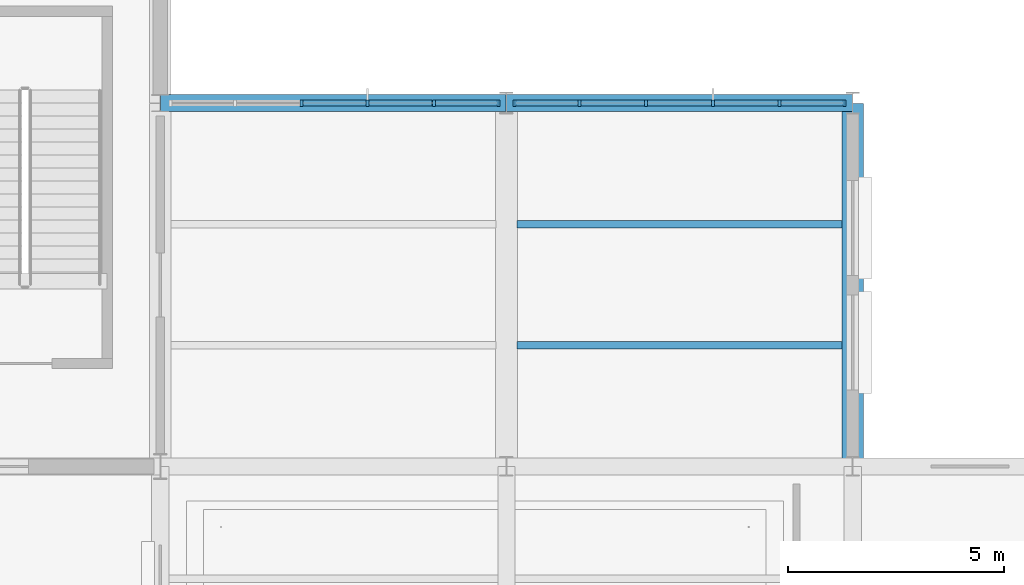
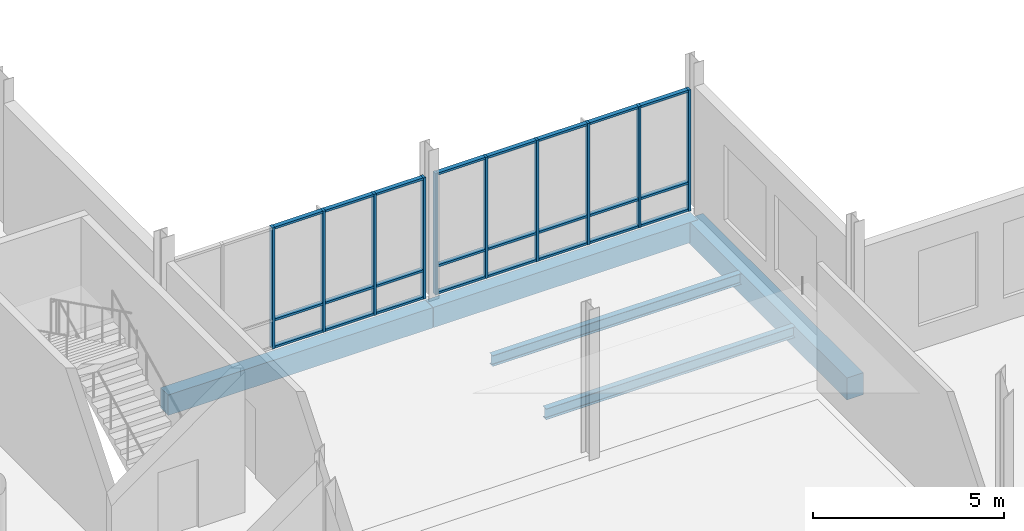
# One storey, part 32 of 82: 34 members, 5 beams, 2 elements without a shape of their own.
"""IFC4 building model written with IfcOpenShell, lengths in metres."""

from ifc_helpers import new_model, si_unit, direction, frame, origin, origin_2d, place, context, subcontext, project, spatial, rectangle, i_section, extrude, material, layer, layer_set, material_profile, profile_set, type_object, element, aggregate, save


model = new_model("IFC4")

# Units and contexts
model_context = context("Model", 3, precision=1e-05, world=origin(), true_north=direction((0.0, 1.0)))
body_context = subcontext(model_context, "Body", "Model", "MODEL_VIEW")
ifc_project = project(units=[si_unit("LENGTHUNIT", "METRE"), si_unit("AREAUNIT", "SQUARE_METRE"), si_unit("VOLUMEUNIT", "CUBIC_METRE"), si_unit("PLANEANGLEUNIT", "RADIAN"), si_unit("MASSUNIT", "GRAM", prefix="KILO")], contexts=[model_context])

# Site, building, storey
site_placement = place(None, origin())
site = spatial("IfcSite", under=ifc_project, at=site_placement, CompositionType="ELEMENT")
building_placement = place(site_placement, origin())
building = spatial("IfcBuilding", under=site, at=building_placement, Name="Yukiwa Park Conservatory and Herbarium", CompositionType="ELEMENT")
storey_placement = place(building_placement, origin())
storey = spatial("IfcBuildingStorey", under=building, at=storey_placement, Name="L00", CompositionType="ELEMENT", Elevation=0.0)

# Beams
ifc_material_1 = material(Name="Steel Q355D", Category="steel")
ifc_material_profile_1 = material_profile(ifc_material_1, i_section(OverallWidth=0.174072265625, OverallDepth=0.345947265625, WebThickness=0.006103515625, FlangeThickness=0.009033203125, FilletRadius=0.013916015625, at=origin_2d()), Name="HN 346x174x6x9")
ifc_profile_set_1 = profile_set([ifc_material_profile_1], Name="Steel Q355D")
beam_type_1 = type_object("IfcBeamType", Name="BM-JST-HN346", PredefinedType="JOIST", material=ifc_profile_set_1)
for number, where, z_axis, x_axis, name in (
    (1, (68.24609375, 80.800048828125, -0.43310546875), (1.0, 0.0, 0.0), (0.0, 1.0, 0.0), "L00 composite floor joist 119"),
    (2, (68.24609375, 83.60009765625, -0.43310546875), (1.0, 0.0, 0.0), (0.0, 1.0, 0.0), "L00 composite floor joist 120"),
):
    element("IfcBeam", number, at=place(storey_placement, frame(where, z_axis=z_axis, x_axis=x_axis)), inside=storey, type_object=beam_type_1, Name=name, PredefinedType="JOIST", context=body_context, shape_type="SweptSolid", body=[
        extrude(i_section(OverallWidth=0.174072265625, OverallDepth=0.345947265625, WebThickness=0.006103515625, FlangeThickness=0.009033203125, FilletRadius=0.013916015625, at=origin_2d()), origin(), (0.0, 0.0, 1.0), 7.5078125),
    ])
ifc_material_2 = material(Name="Concrete C40", Category="concrete")
ifc_material_profile_2 = material_profile(ifc_material_2, rectangle(XDim=0.39990234375, YDim=0.64990234375, at=origin_2d()), Name="RC 400x650")
ifc_profile_set_2 = profile_set([ifc_material_profile_2], Name="Concrete C40")
beam_type_2 = type_object("IfcBeamType", Name="BM-RC-400X650", PredefinedType="BEAM", material=ifc_profile_set_2)
for number, where, z_axis, x_axis, name in (
    (3, (60.006103515625, 86.39990234375, -0.5849609375), (1.0, 0.0, 0.0), (0.0, 1.0, 0.0), "L00 grid beam X-109"),
    (4, (68.006103515625, 86.39990234375, -0.5849609375), (1.0, 0.0, 0.0), (0.0, 1.0, 0.0), "L00 grid beam X-110"),
):
    element("IfcBeam", number, at=place(storey_placement, frame(where, z_axis=z_axis, x_axis=x_axis)), inside=storey, type_object=beam_type_2, Name=name, PredefinedType="BEAM", context=body_context, shape_type="SweptSolid", body=[
        extrude(rectangle(XDim=0.39990234375, YDim=0.64990234375, at=origin_2d()), origin(), (0.0, 0.0, 1.0), 7.98779296875),
    ])
ifc_material_3 = material(Name="Concrete C40", Category="concrete")
ifc_material_profile_3 = material_profile(ifc_material_3, rectangle(XDim=0.5, YDim=0.699951171875, at=origin_2d()), Name="RC 500x700")
ifc_profile_set_3 = profile_set([ifc_material_profile_3], Name="Concrete C40")
beam_type_3 = type_object("IfcBeamType", Name="BM-RC-500X700", PredefinedType="BEAM", material=ifc_profile_set_3)
beam_placement = place(storey_placement, frame((76.0, 78.006103515625, -0.610107421875), z_axis=(0.0, 1.0, 0.0), x_axis=(-1.0, 0.0, 0.0)))
element("IfcBeam", 5, at=beam_placement, inside=storey, type_object=beam_type_3, Name="L00 grid girder Y-238", PredefinedType="BEAM", context=body_context, shape_type="SweptSolid", body=[
    extrude(rectangle(XDim=0.5, YDim=0.699951171875, at=origin_2d()), origin(), (0.0, 0.0, 1.0), 8.387939453125),
])

# Curtain wall, members
ifc_material_4 = material(Name="Triple Low-E Insulated Glass", Category="glass")
ifc_layer = layer(ifc_material_4, 0.236083984375)
ifc_layer_set = layer_set([ifc_layer], Name="Triple Low-E Insulated Glass")
curtain_wall_type = type_object("IfcCurtainWallType", Name="CW-LINK-1500", PredefinedType="NOTDEFINED", material=ifc_layer_set)
curtain_wall_1_placement = place(storey_placement, origin())
curtain_wall_1 = element("IfcCurtainWall", 6, at=curtain_wall_1_placement, inside=storey, type_object=curtain_wall_type, Name="L00 unitised curtain wall CW-L00-015", PredefinedType="NOTDEFINED")
ifc_material_5 = material(Name="Anodised Aluminium", Category="aluminium")
member_type_1 = type_object("IfcMemberType", Name="MB-CW-MUL-70X150", PredefinedType="MULLION", material=ifc_material_5)
member_1_placement = place(storey_placement, frame((75.81494140625, 86.39990234375, 0.0), z_axis=(0.0, 0.0, 1.0), x_axis=(-1.0, 0.0, 0.0)))
member_1 = element("IfcMember", 7, at=member_1_placement, type_object=member_type_1, Name="CW-L00-015 mullion 1", PredefinedType="MULLION", context=body_context, shape_type="SweptSolid", body=[
    extrude(rectangle(XDim=0.070068359375, YDim=0.14990234375, at=origin_2d()), origin(), (0.0, 0.0, 1.0), 3.867919921875),
])
member_2_placement = place(storey_placement, frame((74.31005859375, 86.39990234375, 0.0), z_axis=(0.0, 0.0, 1.0), x_axis=(-1.0, 0.0, 0.0)))
member_2 = element("IfcMember", 8, at=member_2_placement, type_object=member_type_1, Name="CW-L00-015 mullion 2", PredefinedType="MULLION", context=body_context, shape_type="SweptSolid", body=[
    extrude(rectangle(XDim=0.070068359375, YDim=0.14990234375, at=origin_2d()), origin(), (0.0, 0.0, 1.0), 3.867919921875),
])
member_3_placement = place(storey_placement, frame((72.77001953125, 86.39990234375, 0.0), z_axis=(0.0, 0.0, 1.0), x_axis=(-1.0, 0.0, 0.0)))
member_3 = element("IfcMember", 9, at=member_3_placement, type_object=member_type_1, Name="CW-L00-015 mullion 3", PredefinedType="MULLION", context=body_context, shape_type="SweptSolid", body=[
    extrude(rectangle(XDim=0.070068359375, YDim=0.14990234375, at=origin_2d()), origin(), (0.0, 0.0, 1.0), 3.867919921875),
])
member_4_placement = place(storey_placement, frame((71.22998046875, 86.39990234375, 0.0), z_axis=(0.0, 0.0, 1.0), x_axis=(-1.0, 0.0, 0.0)))
member_4 = element("IfcMember", 10, at=member_4_placement, type_object=member_type_1, Name="CW-L00-015 mullion 4", PredefinedType="MULLION", context=body_context, shape_type="SweptSolid", body=[
    extrude(rectangle(XDim=0.070068359375, YDim=0.14990234375, at=origin_2d()), origin(), (0.0, 0.0, 1.0), 3.867919921875),
])
member_5_placement = place(storey_placement, frame((69.68994140625, 86.39990234375, 0.0), z_axis=(0.0, 0.0, 1.0), x_axis=(-1.0, 0.0, 0.0)))
member_5 = element("IfcMember", 11, at=member_5_placement, type_object=member_type_1, Name="CW-L00-015 mullion 5", PredefinedType="MULLION", context=body_context, shape_type="SweptSolid", body=[
    extrude(rectangle(XDim=0.070068359375, YDim=0.14990234375, at=origin_2d()), origin(), (0.0, 0.0, 1.0), 3.867919921875),
])
member_6_placement = place(storey_placement, frame((68.18505859375, 86.39990234375, 0.0), z_axis=(0.0, 0.0, 1.0), x_axis=(-1.0, 0.0, 0.0)))
member_6 = element("IfcMember", 12, at=member_6_placement, type_object=member_type_1, Name="CW-L00-015 mullion 6", PredefinedType="MULLION", context=body_context, shape_type="SweptSolid", body=[
    extrude(rectangle(XDim=0.070068359375, YDim=0.14990234375, at=origin_2d()), origin(), (0.0, 0.0, 1.0), 3.867919921875),
])

curtain_wall_2_placement = place(storey_placement, origin())
curtain_wall_2 = element("IfcCurtainWall", 13, at=curtain_wall_2_placement, inside=storey, type_object=curtain_wall_type, Name="L00 unitised curtain wall CW-L00-016", PredefinedType="NOTDEFINED")
member_7_placement = place(storey_placement, frame((67.81494140625, 86.39990234375, 0.0), z_axis=(0.0, 0.0, 1.0), x_axis=(-1.0, 0.0, 0.0)))
member_7 = element("IfcMember", 14, at=member_7_placement, type_object=member_type_1, Name="CW-L00-016 mullion 1", PredefinedType="MULLION", context=body_context, shape_type="SweptSolid", body=[
    extrude(rectangle(XDim=0.070068359375, YDim=0.14990234375, at=origin_2d()), origin(), (0.0, 0.0, 1.0), 3.867919921875),
])
member_8_placement = place(storey_placement, frame((66.320068359375, 86.39990234375, 0.0), z_axis=(0.0, 0.0, 1.0), x_axis=(-1.0, 0.0, 0.0)))
member_8 = element("IfcMember", 15, at=member_8_placement, type_object=member_type_1, Name="CW-L00-016 mullion 2", PredefinedType="MULLION", context=body_context, shape_type="SweptSolid", body=[
    extrude(rectangle(XDim=0.070068359375, YDim=0.14990234375, at=origin_2d()), origin(), (0.0, 0.0, 1.0), 3.867919921875),
])
member_9_placement = place(storey_placement, frame((64.7900390625, 86.39990234375, 0.0), z_axis=(0.0, 0.0, 1.0), x_axis=(-1.0, 0.0, 0.0)))
member_9 = element("IfcMember", 16, at=member_9_placement, type_object=member_type_1, Name="CW-L00-016 mullion 3", PredefinedType="MULLION", context=body_context, shape_type="SweptSolid", body=[
    extrude(rectangle(XDim=0.070068359375, YDim=0.14990234375, at=origin_2d()), origin(), (0.0, 0.0, 1.0), 3.867919921875),
])
member_10_placement = place(storey_placement, frame((63.260009765625, 86.39990234375, 0.0), z_axis=(0.0, 0.0, 1.0), x_axis=(-1.0, 0.0, 0.0)))
member_10 = element("IfcMember", 17, at=member_10_placement, type_object=member_type_1, Name="CW-L00-016 mullion 4", PredefinedType="MULLION", context=body_context, shape_type="SweptSolid", body=[
    extrude(rectangle(XDim=0.070068359375, YDim=0.14990234375, at=origin_2d()), origin(), (0.0, 0.0, 1.0), 3.867919921875),
])

# Member
ifc_material_6 = material(Name="Anodised Aluminium", Category="aluminium")
member_type_2 = type_object("IfcMemberType", Name="MB-CW-TRN-70X130", PredefinedType="USERDEFINED", material=ifc_material_6)
member_11_placement = place(storey_placement, frame((75.080078125, 86.39990234375, 0.0), z_axis=(0.0, 0.0, 1.0), x_axis=(-1.0, 0.0, 0.0)))
member_11 = element("IfcMember", 18, at=member_11_placement, type_object=member_type_2, Name="CW-L00-015 transom 1.1", ObjectType="TRANSOM", PredefinedType="USERDEFINED", context=body_context, shape_type="SweptSolid", body=[
    extrude(rectangle(XDim=1.469970703125, YDim=0.1298828125, at=origin_2d()), origin(), (0.0, 0.0, 1.0), 0.070068359375),
])

member_12_placement = place(storey_placement, frame((75.080078125, 86.39990234375, 0.86474609375), z_axis=(0.0, 0.0, 1.0), x_axis=(-1.0, 0.0, 0.0)))
member_12 = element("IfcMember", 19, at=member_12_placement, type_object=member_type_2, Name="CW-L00-015 transom 1.2", ObjectType="TRANSOM", PredefinedType="USERDEFINED", context=body_context, shape_type="SweptSolid", body=[
    extrude(rectangle(XDim=1.469970703125, YDim=0.1298828125, at=origin_2d()), origin(), (0.0, 0.0, 1.0), 0.070068359375),
])

member_13_placement = place(storey_placement, frame((75.080078125, 86.39990234375, 3.7978515625), z_axis=(0.0, 0.0, 1.0), x_axis=(-1.0, 0.0, 0.0)))
member_13 = element("IfcMember", 20, at=member_13_placement, type_object=member_type_2, Name="CW-L00-015 transom 1.3", ObjectType="TRANSOM", PredefinedType="USERDEFINED", context=body_context, shape_type="SweptSolid", body=[
    extrude(rectangle(XDim=1.469970703125, YDim=0.1298828125, at=origin_2d()), origin(), (0.0, 0.0, 1.0), 0.070068359375),
])

member_14_placement = place(storey_placement, frame((73.5400390625, 86.39990234375, 0.0), z_axis=(0.0, 0.0, 1.0), x_axis=(-1.0, 0.0, 0.0)))
member_14 = element("IfcMember", 21, at=member_14_placement, type_object=member_type_2, Name="CW-L00-015 transom 2.1", ObjectType="TRANSOM", PredefinedType="USERDEFINED", context=body_context, shape_type="SweptSolid", body=[
    extrude(rectangle(XDim=1.469970703125, YDim=0.1298828125, at=origin_2d()), origin(), (0.0, 0.0, 1.0), 0.070068359375),
])

member_15_placement = place(storey_placement, frame((73.5400390625, 86.39990234375, 0.86474609375), z_axis=(0.0, 0.0, 1.0), x_axis=(-1.0, 0.0, 0.0)))
member_15 = element("IfcMember", 22, at=member_15_placement, type_object=member_type_2, Name="CW-L00-015 transom 2.2", ObjectType="TRANSOM", PredefinedType="USERDEFINED", context=body_context, shape_type="SweptSolid", body=[
    extrude(rectangle(XDim=1.469970703125, YDim=0.1298828125, at=origin_2d()), origin(), (0.0, 0.0, 1.0), 0.070068359375),
])

member_16_placement = place(storey_placement, frame((73.5400390625, 86.39990234375, 3.7978515625), z_axis=(0.0, 0.0, 1.0), x_axis=(-1.0, 0.0, 0.0)))
member_16 = element("IfcMember", 23, at=member_16_placement, type_object=member_type_2, Name="CW-L00-015 transom 2.3", ObjectType="TRANSOM", PredefinedType="USERDEFINED", context=body_context, shape_type="SweptSolid", body=[
    extrude(rectangle(XDim=1.469970703125, YDim=0.1298828125, at=origin_2d()), origin(), (0.0, 0.0, 1.0), 0.070068359375),
])

member_17_placement = place(storey_placement, frame((72.0, 86.39990234375, 0.0), z_axis=(0.0, 0.0, 1.0), x_axis=(-1.0, 0.0, 0.0)))
member_17 = element("IfcMember", 24, at=member_17_placement, type_object=member_type_2, Name="CW-L00-015 transom 3.1", ObjectType="TRANSOM", PredefinedType="USERDEFINED", context=body_context, shape_type="SweptSolid", body=[
    extrude(rectangle(XDim=1.469970703125, YDim=0.1298828125, at=origin_2d()), origin(), (0.0, 0.0, 1.0), 0.070068359375),
])

member_18_placement = place(storey_placement, frame((72.0, 86.39990234375, 0.86474609375), z_axis=(0.0, 0.0, 1.0), x_axis=(-1.0, 0.0, 0.0)))
member_18 = element("IfcMember", 25, at=member_18_placement, type_object=member_type_2, Name="CW-L00-015 transom 3.2", ObjectType="TRANSOM", PredefinedType="USERDEFINED", context=body_context, shape_type="SweptSolid", body=[
    extrude(rectangle(XDim=1.469970703125, YDim=0.1298828125, at=origin_2d()), origin(), (0.0, 0.0, 1.0), 0.070068359375),
])

member_19_placement = place(storey_placement, frame((72.0, 86.39990234375, 3.7978515625), z_axis=(0.0, 0.0, 1.0), x_axis=(-1.0, 0.0, 0.0)))
member_19 = element("IfcMember", 26, at=member_19_placement, type_object=member_type_2, Name="CW-L00-015 transom 3.3", ObjectType="TRANSOM", PredefinedType="USERDEFINED", context=body_context, shape_type="SweptSolid", body=[
    extrude(rectangle(XDim=1.469970703125, YDim=0.1298828125, at=origin_2d()), origin(), (0.0, 0.0, 1.0), 0.070068359375),
])

member_20_placement = place(storey_placement, frame((70.4599609375, 86.39990234375, 0.0), z_axis=(0.0, 0.0, 1.0), x_axis=(-1.0, 0.0, 0.0)))
member_20 = element("IfcMember", 27, at=member_20_placement, type_object=member_type_2, Name="CW-L00-015 transom 4.1", ObjectType="TRANSOM", PredefinedType="USERDEFINED", context=body_context, shape_type="SweptSolid", body=[
    extrude(rectangle(XDim=1.469970703125, YDim=0.1298828125, at=origin_2d()), origin(), (0.0, 0.0, 1.0), 0.070068359375),
])

member_21_placement = place(storey_placement, frame((70.4599609375, 86.39990234375, 0.86474609375), z_axis=(0.0, 0.0, 1.0), x_axis=(-1.0, 0.0, 0.0)))
member_21 = element("IfcMember", 28, at=member_21_placement, type_object=member_type_2, Name="CW-L00-015 transom 4.2", ObjectType="TRANSOM", PredefinedType="USERDEFINED", context=body_context, shape_type="SweptSolid", body=[
    extrude(rectangle(XDim=1.469970703125, YDim=0.1298828125, at=origin_2d()), origin(), (0.0, 0.0, 1.0), 0.070068359375),
])

member_22_placement = place(storey_placement, frame((70.4599609375, 86.39990234375, 3.7978515625), z_axis=(0.0, 0.0, 1.0), x_axis=(-1.0, 0.0, 0.0)))
member_22 = element("IfcMember", 29, at=member_22_placement, type_object=member_type_2, Name="CW-L00-015 transom 4.3", ObjectType="TRANSOM", PredefinedType="USERDEFINED", context=body_context, shape_type="SweptSolid", body=[
    extrude(rectangle(XDim=1.469970703125, YDim=0.1298828125, at=origin_2d()), origin(), (0.0, 0.0, 1.0), 0.070068359375),
])

member_23_placement = place(storey_placement, frame((68.919921875, 86.39990234375, 0.0), z_axis=(0.0, 0.0, 1.0), x_axis=(-1.0, 0.0, 0.0)))
member_23 = element("IfcMember", 30, at=member_23_placement, type_object=member_type_2, Name="CW-L00-015 transom 5.1", ObjectType="TRANSOM", PredefinedType="USERDEFINED", context=body_context, shape_type="SweptSolid", body=[
    extrude(rectangle(XDim=1.469970703125, YDim=0.1298828125, at=origin_2d()), origin(), (0.0, 0.0, 1.0), 0.070068359375),
])

member_24_placement = place(storey_placement, frame((68.919921875, 86.39990234375, 0.86474609375), z_axis=(0.0, 0.0, 1.0), x_axis=(-1.0, 0.0, 0.0)))
member_24 = element("IfcMember", 31, at=member_24_placement, type_object=member_type_2, Name="CW-L00-015 transom 5.2", ObjectType="TRANSOM", PredefinedType="USERDEFINED", context=body_context, shape_type="SweptSolid", body=[
    extrude(rectangle(XDim=1.469970703125, YDim=0.1298828125, at=origin_2d()), origin(), (0.0, 0.0, 1.0), 0.070068359375),
])

member_25_placement = place(storey_placement, frame((68.919921875, 86.39990234375, 3.7978515625), z_axis=(0.0, 0.0, 1.0), x_axis=(-1.0, 0.0, 0.0)))
member_25 = element("IfcMember", 32, at=member_25_placement, type_object=member_type_2, Name="CW-L00-015 transom 5.3", ObjectType="TRANSOM", PredefinedType="USERDEFINED", context=body_context, shape_type="SweptSolid", body=[
    extrude(rectangle(XDim=1.469970703125, YDim=0.1298828125, at=origin_2d()), origin(), (0.0, 0.0, 1.0), 0.070068359375),
])

aggregate(curtain_wall_1, [member_1, member_2, member_3, member_4, member_5, member_6, member_11, member_12, member_13, member_14, member_15, member_16, member_17, member_18, member_19, member_20, member_21, member_22, member_23, member_24, member_25])

member_26_placement = place(storey_placement, frame((67.0849609375, 86.39990234375, 0.0), z_axis=(0.0, 0.0, 1.0), x_axis=(-1.0, 0.0, 0.0)))
member_26 = element("IfcMember", 33, at=member_26_placement, type_object=member_type_2, Name="CW-L00-016 transom 1.1", ObjectType="TRANSOM", PredefinedType="USERDEFINED", context=body_context, shape_type="SweptSolid", body=[
    extrude(rectangle(XDim=1.4599609375, YDim=0.1298828125, at=origin_2d()), origin(), (0.0, 0.0, 1.0), 0.070068359375),
])

member_27_placement = place(storey_placement, frame((67.0849609375, 86.39990234375, 0.86474609375), z_axis=(0.0, 0.0, 1.0), x_axis=(-1.0, 0.0, 0.0)))
member_27 = element("IfcMember", 34, at=member_27_placement, type_object=member_type_2, Name="CW-L00-016 transom 1.2", ObjectType="TRANSOM", PredefinedType="USERDEFINED", context=body_context, shape_type="SweptSolid", body=[
    extrude(rectangle(XDim=1.4599609375, YDim=0.1298828125, at=origin_2d()), origin(), (0.0, 0.0, 1.0), 0.070068359375),
])

member_28_placement = place(storey_placement, frame((67.0849609375, 86.39990234375, 3.7978515625), z_axis=(0.0, 0.0, 1.0), x_axis=(-1.0, 0.0, 0.0)))
member_28 = element("IfcMember", 35, at=member_28_placement, type_object=member_type_2, Name="CW-L00-016 transom 1.3", ObjectType="TRANSOM", PredefinedType="USERDEFINED", context=body_context, shape_type="SweptSolid", body=[
    extrude(rectangle(XDim=1.4599609375, YDim=0.1298828125, at=origin_2d()), origin(), (0.0, 0.0, 1.0), 0.070068359375),
])

member_29_placement = place(storey_placement, frame((65.554931640625, 86.39990234375, 0.0), z_axis=(0.0, 0.0, 1.0), x_axis=(-1.0, 0.0, 0.0)))
member_29 = element("IfcMember", 36, at=member_29_placement, type_object=member_type_2, Name="CW-L00-016 transom 2.1", ObjectType="TRANSOM", PredefinedType="USERDEFINED", context=body_context, shape_type="SweptSolid", body=[
    extrude(rectangle(XDim=1.4599609375, YDim=0.1298828125, at=origin_2d()), origin(), (0.0, 0.0, 1.0), 0.070068359375),
])

member_30_placement = place(storey_placement, frame((65.554931640625, 86.39990234375, 0.86474609375), z_axis=(0.0, 0.0, 1.0), x_axis=(-1.0, 0.0, 0.0)))
member_30 = element("IfcMember", 37, at=member_30_placement, type_object=member_type_2, Name="CW-L00-016 transom 2.2", ObjectType="TRANSOM", PredefinedType="USERDEFINED", context=body_context, shape_type="SweptSolid", body=[
    extrude(rectangle(XDim=1.4599609375, YDim=0.1298828125, at=origin_2d()), origin(), (0.0, 0.0, 1.0), 0.070068359375),
])

member_31_placement = place(storey_placement, frame((65.554931640625, 86.39990234375, 3.7978515625), z_axis=(0.0, 0.0, 1.0), x_axis=(-1.0, 0.0, 0.0)))
member_31 = element("IfcMember", 38, at=member_31_placement, type_object=member_type_2, Name="CW-L00-016 transom 2.3", ObjectType="TRANSOM", PredefinedType="USERDEFINED", context=body_context, shape_type="SweptSolid", body=[
    extrude(rectangle(XDim=1.4599609375, YDim=0.1298828125, at=origin_2d()), origin(), (0.0, 0.0, 1.0), 0.070068359375),
])

member_32_placement = place(storey_placement, frame((64.02490234375, 86.39990234375, 0.0), z_axis=(0.0, 0.0, 1.0), x_axis=(-1.0, 0.0, 0.0)))
member_32 = element("IfcMember", 39, at=member_32_placement, type_object=member_type_2, Name="CW-L00-016 transom 3.1", ObjectType="TRANSOM", PredefinedType="USERDEFINED", context=body_context, shape_type="SweptSolid", body=[
    extrude(rectangle(XDim=1.4599609375, YDim=0.1298828125, at=origin_2d()), origin(), (0.0, 0.0, 1.0), 0.070068359375),
])

member_33_placement = place(storey_placement, frame((64.02490234375, 86.39990234375, 0.86474609375), z_axis=(0.0, 0.0, 1.0), x_axis=(-1.0, 0.0, 0.0)))
member_33 = element("IfcMember", 40, at=member_33_placement, type_object=member_type_2, Name="CW-L00-016 transom 3.2", ObjectType="TRANSOM", PredefinedType="USERDEFINED", context=body_context, shape_type="SweptSolid", body=[
    extrude(rectangle(XDim=1.4599609375, YDim=0.1298828125, at=origin_2d()), origin(), (0.0, 0.0, 1.0), 0.070068359375),
])

member_34_placement = place(storey_placement, frame((64.02490234375, 86.39990234375, 3.7978515625), z_axis=(0.0, 0.0, 1.0), x_axis=(-1.0, 0.0, 0.0)))
member_34 = element("IfcMember", 41, at=member_34_placement, type_object=member_type_2, Name="CW-L00-016 transom 3.3", ObjectType="TRANSOM", PredefinedType="USERDEFINED", context=body_context, shape_type="SweptSolid", body=[
    extrude(rectangle(XDim=1.4599609375, YDim=0.1298828125, at=origin_2d()), origin(), (0.0, 0.0, 1.0), 0.070068359375),
])

aggregate(curtain_wall_2, [member_7, member_8, member_9, member_10, member_26, member_27, member_28, member_29, member_30, member_31, member_32, member_33, member_34])

save(model, "model.ifc")
